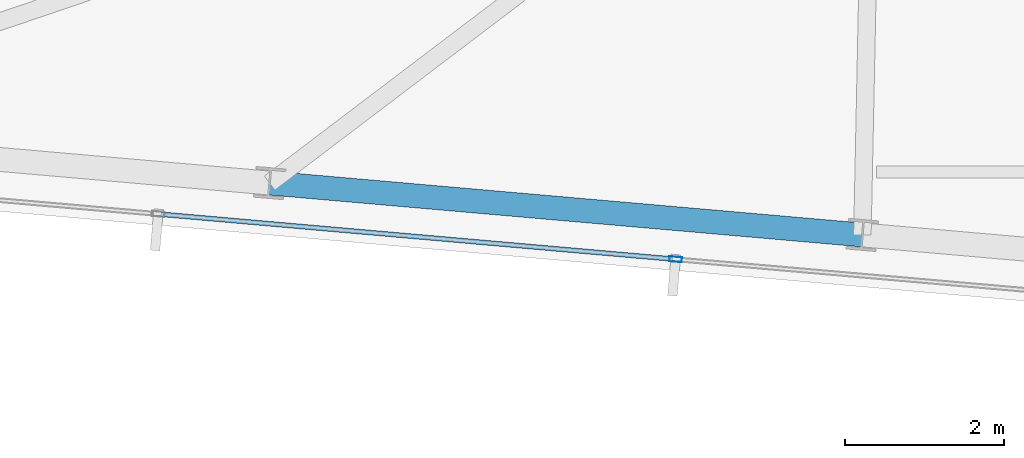
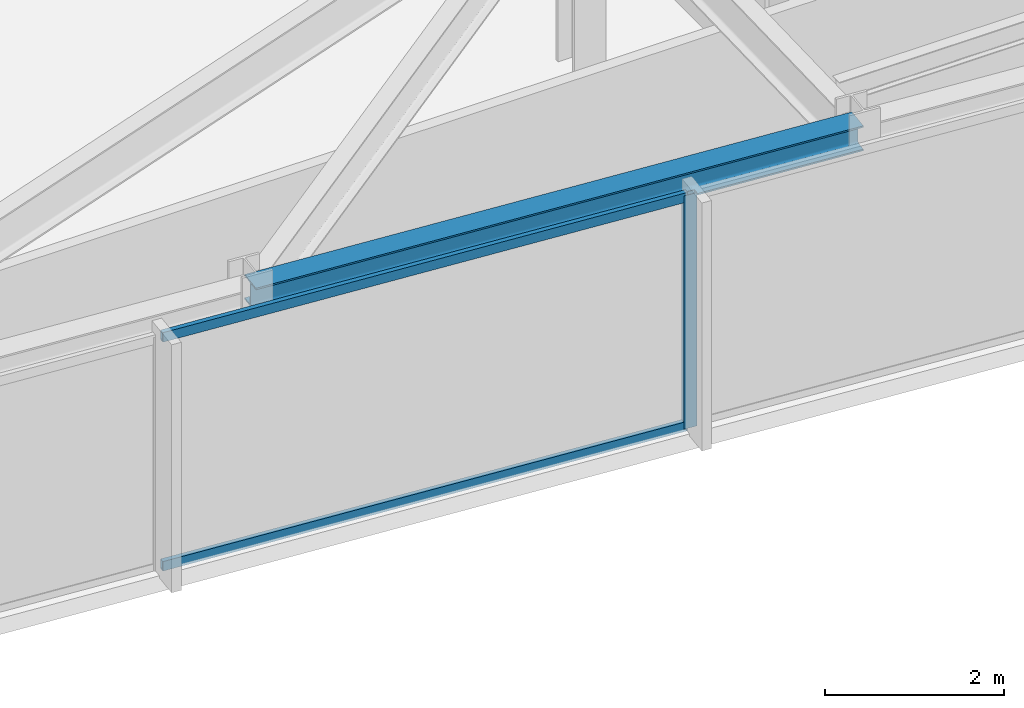
# One storey, part 3 of 32: 3 members, 1 beam, 1 element without a shape of its own.
"""IFC4 building model written with IfcOpenShell, lengths in metres."""

import ifcopenshell
import ifcopenshell.guid

model = None  # the IFC model being written
_history = None  # IfcOwnerHistory: only IFC2X3 demands one
_inside = {}  # id of a spatial element -> (the spatial element, [elements in it])
_under = {}  # id of a project, library or spatial element -> (it, [spatial elements below it])
_declared = {}  # id of a project -> (the project, [libraries it declares])
_typed = {}  # id of a type object -> (the type object, [elements of that type])
_made_of = {}  # id of a material, layer set ... -> (it, [elements and type objects made of it])


def new_model(schema):
    """Start an empty IFC model of exactly this schema.

    Asked for "IFC4X3", IfcOpenShell would pick the latest addendum, in which some entities
    have other attributes; the version numbers below select the first issue.
    IFC2X3 requires an IfcOwnerHistory on every rooted entity: one is made here for all.
    """
    global model, _history
    if schema == "IFC4X3":
        model = ifcopenshell.file(schema_version=(4, 3, 0, 0))
    else:
        model = ifcopenshell.file(schema=schema)
    _inside.clear()
    _under.clear()
    _declared.clear()
    _typed.clear()
    _made_of.clear()
    _history = None
    if model.schema == "IFC2X3":
        org = make("IfcOrganization", Name="unknown")
        user = make(
            "IfcPersonAndOrganization",
            ThePerson=make("IfcPerson", FamilyName="unknown"),
            TheOrganization=org,
        )
        app = make(
            "IfcApplication",
            ApplicationDeveloper=org,
            Version="unknown",
            ApplicationFullName="unknown",
            ApplicationIdentifier="unknown",
        )
        _history = make(
            "IfcOwnerHistory",
            OwningUser=user,
            OwningApplication=app,
            ChangeAction="ADDED",
            CreationDate=0,
        )
    return model


def make(cls, **values):
    """One entity of the class cls with the attributes given. An attribute that is None is left unset."""
    return model.create_entity(
        cls, **{name: value for name, value in values.items() if value is not None}
    )


def rooted(cls, **values):
    """An entity with a GlobalId (a new one), such as an element, a storey or a relation."""
    return make(cls, GlobalId=ifcopenshell.guid.new(), OwnerHistory=_history, **values)


def si_unit(unit_type, name, prefix=None):
    """IfcSIUnit, for example si_unit("LENGTHUNIT", "METRE", prefix="MILLI")."""
    return make("IfcSIUnit", UnitType=unit_type, Prefix=prefix, Name=name)


def assignment(units):
    """IfcUnitAssignment: the units of a project."""
    return None if units is None else make("IfcUnitAssignment", Units=units)


def point(xyz):
    """IfcCartesianPoint."""
    return None if xyz is None else make("IfcCartesianPoint", Coordinates=xyz)


def direction(xyz):
    """IfcDirection."""
    return None if xyz is None else make("IfcDirection", DirectionRatios=xyz)


def frame(location, z_axis=None, x_axis=None):
    """IfcAxis2Placement3D, a coordinate frame: its origin and axes. An axis left out is left unset."""
    return make(
        "IfcAxis2Placement3D",
        Location=point(location),
        Axis=direction(z_axis),
        RefDirection=direction(x_axis),
    )


def frame_2d(location, x_axis=None):
    """IfcAxis2Placement2D, a coordinate frame in the plane: its origin and x axis."""
    return make(
        "IfcAxis2Placement2D", Location=point(location), RefDirection=direction(x_axis)
    )


def origin():
    """The frame at (0, 0, 0) with its axes left unset."""
    return frame((0.0, 0.0, 0.0))


def origin_2d():
    """The frame at (0, 0) in the plane with its x axis left unset."""
    return frame_2d((0.0, 0.0))


def place(relative_to, where):
    """IfcLocalPlacement: puts the frame where relative to a parent placement (None: the world)."""
    return make(
        "IfcLocalPlacement", PlacementRelTo=relative_to, RelativePlacement=where
    )


def context(
    kind, dimensions, precision=None, world=None, true_north=None, identifier=None
):
    """IfcGeometricRepresentationContext, for example the 3D "Model" context."""
    return make(
        "IfcGeometricRepresentationContext",
        ContextIdentifier=identifier,
        ContextType=kind,
        CoordinateSpaceDimension=dimensions,
        Precision=precision,
        WorldCoordinateSystem=world,
        TrueNorth=true_north,
    )


def subcontext(parent, identifier, kind, view, scale=None):
    """IfcGeometricRepresentationSubContext, for example "Body" below "Model"."""
    return make(
        "IfcGeometricRepresentationSubContext",
        ContextIdentifier=identifier,
        ContextType=kind,
        ParentContext=parent,
        TargetScale=scale,
        TargetView=view,
    )


def project(units=None, contexts=None):
    """IfcProject with its units and contexts."""
    return rooted(
        "IfcProject",
        Name="project",
        RepresentationContexts=contexts,
        UnitsInContext=assignment(units),
    )


def spatial(cls, under=None, at=None, **own):
    """A site, building, storey or space (cls), placed at a placement, below another one or the project."""
    s = rooted(cls, ObjectPlacement=at, **own)
    if under is not None:
        _under.setdefault(under.id(), (under, []))[1].append(s)
    return s


def profile(cls, at=None, kind="AREA", **sizes):
    """A parametric profile (cls). Its sizes go by their IFC names, for example OverallWidth=200.0."""
    return make(cls, ProfileType=kind, Position=at, **sizes)


def hollow_rectangle(**sizes):
    """IfcRectangleHollowProfileDef."""
    return profile("IfcRectangleHollowProfileDef", **sizes)


def i_section(**sizes):
    """IfcIShapeProfileDef."""
    return profile("IfcIShapeProfileDef", **sizes)


def extrude(swept, where, along, depth):
    """IfcExtrudedAreaSolid: the profile swept, set in the frame where, extruded along a direction by depth."""
    return make(
        "IfcExtrudedAreaSolid",
        SweptArea=swept,
        Position=where,
        ExtrudedDirection=direction(along),
        Depth=depth,
    )


def shape(context_of_items, identifier, shape_type, items):
    """IfcShapeRepresentation: the items that make up one representation, for example the "Body"."""
    return make(
        "IfcShapeRepresentation",
        ContextOfItems=context_of_items,
        RepresentationIdentifier=identifier,
        RepresentationType=shape_type,
        Items=items,
    )


def material(Name=None, Category=None):
    """IfcMaterial."""
    return make("IfcMaterial", Name=Name, Category=Category)


def material_profile(
    of_material, cross_section, Name=None, Category=None, Priority=None
):
    """IfcMaterialProfile: a cross section and its material."""
    return make(
        "IfcMaterialProfile",
        Name=Name,
        Material=of_material,
        Profile=cross_section,
        Priority=Priority,
        Category=Category,
    )


def profile_set(profiles, Name=None, composite=None):
    """IfcMaterialProfileSet."""
    return make(
        "IfcMaterialProfileSet",
        Name=Name,
        MaterialProfiles=profiles,
        CompositeProfile=composite,
    )


def made_of(thing, what):
    """Note that an element or type object is made of a material, layer set ...; save() writes the relation."""
    if what is not None:
        _made_of.setdefault(what.id(), (what, []))[1].append(thing)
    return thing


def type_object(cls, material=None, **own):
    """A type object (cls), such as IfcWallType, which elements share."""
    return made_of(rooted(cls, **own), material)


def element(
    cls,
    number,
    at=None,
    inside=None,
    cuts=None,
    type_object=None,
    material=None,
    context=None,
    identifier="Body",
    shape_type=None,
    held_by="IfcProductDefinitionShape",
    body=None,
    shapes=None,
    **own,
):
    """One element of the class cls, such as IfcWall. Its Tag is "e" and its number.

    at: its placement. inside: the storey or other place that contains it. cuts: it is an
    opening in that element (IfcRelVoidsElement). A single representation is given by context,
    identifier, shape_type and body (its items); several are given by shapes. held_by: the class
    of the entity that holds the representations. save() writes the other relations.
    """
    e = rooted(cls, Tag="e%d" % number, ObjectPlacement=at, **own)
    if body is not None:
        shapes = [shape(context, identifier, shape_type, body)]
    if shapes is not None:
        e.Representation = make(held_by, Representations=shapes)
    if inside is not None:
        _inside.setdefault(inside.id(), (inside, []))[1].append(e)
    if cuts is not None:
        rooted(
            "IfcRelVoidsElement", RelatingBuildingElement=cuts, RelatedOpeningElement=e
        )
    if type_object is not None:
        _typed.setdefault(type_object.id(), (type_object, []))[1].append(e)
    return made_of(e, material)


def aggregate(whole, parts):
    """IfcRelAggregates: a whole, such as a stair, and the parts it consists of."""
    return rooted("IfcRelAggregates", RelatingObject=whole, RelatedObjects=parts)


def save(model, path):
    """Write the relations noted so far, then the file.

    IfcRelAggregates (storeys below a building ...), IfcRelContainedInSpatialStructure (elements
    in a storey), IfcRelDefinesByType, IfcRelAssociatesMaterial and IfcRelDeclares: one each for
    every whole, place, type object, material and project.
    """
    for whole, parts in _under.values():
        aggregate(whole, parts)
    for where, things in _inside.values():
        rooted(
            "IfcRelContainedInSpatialStructure",
            RelatedElements=things,
            RelatingStructure=where,
        )
    for kind, things in _typed.values():
        rooted("IfcRelDefinesByType", RelatedObjects=things, RelatingType=kind)
    for what, things in _made_of.values():
        rooted("IfcRelAssociatesMaterial", RelatedObjects=things, RelatingMaterial=what)
    for by, libraries in _declared.values():
        rooted("IfcRelDeclares", RelatingContext=by, RelatedDefinitions=libraries)
    model.write(path)


model = new_model("IFC4")

# Units and contexts
model_context = context("Model", 3, precision=1e-05, world=origin(), true_north=direction((0.0, 1.0)))
body_context = subcontext(model_context, "Body", "Model", "MODEL_VIEW")
ifc_project = project(units=[si_unit("LENGTHUNIT", "METRE"), si_unit("AREAUNIT", "SQUARE_METRE"), si_unit("VOLUMEUNIT", "CUBIC_METRE"), si_unit("PLANEANGLEUNIT", "RADIAN"), si_unit("MASSUNIT", "GRAM", prefix="KILO")], contexts=[model_context])

# Site, building, storey
site_placement = place(None, origin())
site = spatial("IfcSite", under=ifc_project, at=site_placement, CompositionType="ELEMENT")
building_placement = place(site_placement, origin())
building = spatial("IfcBuilding", under=site, at=building_placement, Name="Yelkora Congress Tower", CompositionType="ELEMENT")
storey_placement = place(building_placement, frame((0.0, 0.0, 276.10009765625)))
storey = spatial("IfcBuildingStorey", under=building, at=storey_placement, Name="L77", CompositionType="ELEMENT", Elevation=276.10009765625)

# Beam
ifc_material_1 = material(Name="Steel S355J2", Category="steel")
ifc_material_profile_1 = material_profile(ifc_material_1, i_section(OverallWidth=0.300048828125, OverallDepth=0.340087890625, WebThickness=0.011962890625, FlangeThickness=0.021484375, FilletRadius=0.027099609375, at=origin_2d()), Name="HEB 340")
ifc_profile_set_1 = profile_set([ifc_material_profile_1], Name="Steel S355J2")
beam_type = type_object("IfcBeamType", Name="BM-SPAN-HEB340", PredefinedType="SPANDREL", material=ifc_profile_set_1)
beam_placement = place(storey_placement, frame((15.452880859375, 19.445556640625, 3.010009765625), z_axis=(0.996193186297, -0.08717302092, 0.0), x_axis=(0.08717302092, 0.996193186297, 0.0)))
element("IfcBeam", 1, at=beam_placement, inside=storey, type_object=beam_type, Name="L77 Perimeter Beam 2", PredefinedType="SPANDREL", context=body_context, shape_type="SweptSolid", body=[
    extrude(i_section(OverallWidth=0.300048828125, OverallDepth=0.340087890625, WebThickness=0.011962890625, FlangeThickness=0.021484375, FilletRadius=0.027099609375, at=origin_2d()), origin(), (0.0, 0.0, 1.0), 7.4833984375),
])

# Curtain wall, members
ifc_material_2 = material(Name="Anodised aluminium and insulated glass", Category="aluminium")
curtain_wall_type = type_object("IfcCurtainWallType", Name="CW-SYS-B5", PredefinedType="NOTDEFINED", material=ifc_material_2)
curtain_wall_placement = place(storey_placement, origin())
curtain_wall = element("IfcCurtainWall", 2, at=curtain_wall_placement, inside=storey, type_object=curtain_wall_type, Name="L77 Unitised Curtain Wall 20", PredefinedType="NOTDEFINED")
ifc_material_3 = material(Name="Anodised aluminium 6063-T6", Category="aluminium")
ifc_material_profile_2 = material_profile(ifc_material_3, hollow_rectangle(XDim=0.06494140625, YDim=0.159912109375, WallThickness=0.00390625, at=origin_2d()), Name="ALU 65x160x4")
ifc_profile_set_2 = profile_set([ifc_material_profile_2], Name="Anodised aluminium 6063-T6")
member_type_1 = type_object("IfcMemberType", Name="MEM-ML-B5", PredefinedType="MULLION", material=ifc_profile_set_2)
member_1_placement = place(storey_placement, frame((20.558349609375, 18.487060546875, 0.0), z_axis=(0.0, 0.0, 1.0), x_axis=(-0.087156829793, -0.996194602987, 0.0)))
member_1 = element("IfcMember", 3, at=member_1_placement, type_object=member_type_1, Name="CW-B5 mullion 6", PredefinedType="MULLION", context=body_context, shape_type="SweptSolid", body=[
    extrude(hollow_rectangle(XDim=0.06494140625, YDim=0.159912109375, WallThickness=0.00390625, at=origin_2d()), origin(), (0.0, 0.0, 1.0), 3.179931640625),
])
ifc_material_profile_3 = material_profile(ifc_material_3, hollow_rectangle(XDim=0.06005859375, YDim=0.1298828125, WallThickness=0.00390625, at=origin_2d()), Name="ALU 60x130x4")
ifc_profile_set_3 = profile_set([ifc_material_profile_3], Name="Anodised aluminium 6063-T6")
member_type_2 = type_object("IfcMemberType", Name="MEM-TR-B5", PredefinedType="USERDEFINED", material=ifc_profile_set_3)
member_2_placement = place(storey_placement, frame((20.52587890625, 18.48974609375, 0.02978515625), z_axis=(-0.99619269288, 0.087178659385, 0.0), x_axis=(-0.087178659385, -0.99619269288, 0.0)))
member_2 = element("IfcMember", 4, at=member_2_placement, type_object=member_type_2, Name="CW-B5 transom 6.1", ObjectType="TRANSOM", PredefinedType="USERDEFINED", context=body_context, shape_type="SweptSolid", body=[
    extrude(hollow_rectangle(XDim=0.06005859375, YDim=0.1298828125, WallThickness=0.00390625, at=origin_2d()), origin(), (0.0, 0.0, 1.0), 6.46630859375),
])
member_3_placement = place(storey_placement, frame((20.52587890625, 18.48974609375, 3.14990234375), z_axis=(-0.99619269288, 0.087178659385, 0.0), x_axis=(-0.087178659385, -0.99619269288, 0.0)))
member_3 = element("IfcMember", 5, at=member_3_placement, type_object=member_type_2, Name="CW-B5 transom 6.2", ObjectType="TRANSOM", PredefinedType="USERDEFINED", context=body_context, shape_type="SweptSolid", body=[
    extrude(hollow_rectangle(XDim=0.06005859375, YDim=0.1298828125, WallThickness=0.00390625, at=origin_2d()), origin(), (0.0, 0.0, 1.0), 6.46630859375),
])
aggregate(curtain_wall, [member_1, member_2, member_3])

save(model, "model.ifc")
